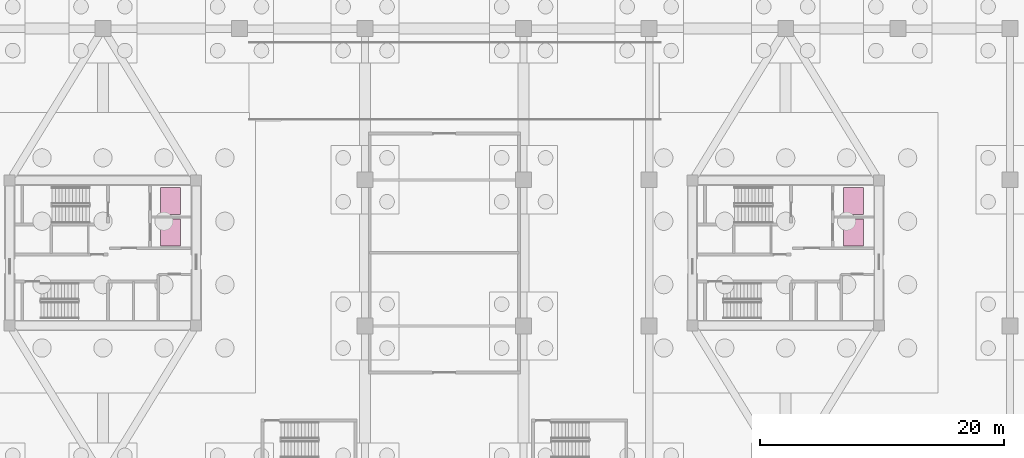
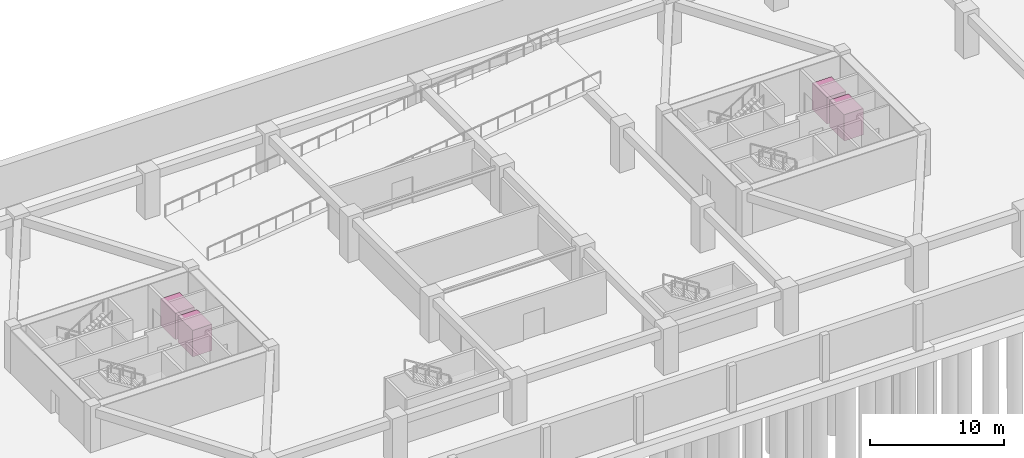
# One storey, part 14 of 14: 4 transport elements.
"""IFC4 building model written with IfcOpenShell, lengths in metres."""

import ifcopenshell
import ifcopenshell.guid

model = None  # the IFC model being written
_history = None  # IfcOwnerHistory: only IFC2X3 demands one
_inside = {}  # id of a spatial element -> (the spatial element, [elements in it])
_under = {}  # id of a project, library or spatial element -> (it, [spatial elements below it])
_declared = {}  # id of a project -> (the project, [libraries it declares])
_typed = {}  # id of a type object -> (the type object, [elements of that type])
_made_of = {}  # id of a material, layer set ... -> (it, [elements and type objects made of it])


def new_model(schema):
    """Start an empty IFC model of exactly this schema.

    Asked for "IFC4X3", IfcOpenShell would pick the latest addendum, in which some entities
    have other attributes; the version numbers below select the first issue.
    IFC2X3 requires an IfcOwnerHistory on every rooted entity: one is made here for all.
    """
    global model, _history
    if schema == "IFC4X3":
        model = ifcopenshell.file(schema_version=(4, 3, 0, 0))
    else:
        model = ifcopenshell.file(schema=schema)
    _inside.clear()
    _under.clear()
    _declared.clear()
    _typed.clear()
    _made_of.clear()
    _history = None
    if model.schema == "IFC2X3":
        org = make("IfcOrganization", Name="unknown")
        user = make(
            "IfcPersonAndOrganization",
            ThePerson=make("IfcPerson", FamilyName="unknown"),
            TheOrganization=org,
        )
        app = make(
            "IfcApplication",
            ApplicationDeveloper=org,
            Version="unknown",
            ApplicationFullName="unknown",
            ApplicationIdentifier="unknown",
        )
        _history = make(
            "IfcOwnerHistory",
            OwningUser=user,
            OwningApplication=app,
            ChangeAction="ADDED",
            CreationDate=0,
        )
    return model


def make(cls, **values):
    """One entity of the class cls with the attributes given. An attribute that is None is left unset."""
    return model.create_entity(
        cls, **{name: value for name, value in values.items() if value is not None}
    )


def rooted(cls, **values):
    """An entity with a GlobalId (a new one), such as an element, a storey or a relation."""
    return make(cls, GlobalId=ifcopenshell.guid.new(), OwnerHistory=_history, **values)


def si_unit(unit_type, name, prefix=None):
    """IfcSIUnit, for example si_unit("LENGTHUNIT", "METRE", prefix="MILLI")."""
    return make("IfcSIUnit", UnitType=unit_type, Prefix=prefix, Name=name)


def assignment(units):
    """IfcUnitAssignment: the units of a project."""
    return None if units is None else make("IfcUnitAssignment", Units=units)


def point(xyz):
    """IfcCartesianPoint."""
    return None if xyz is None else make("IfcCartesianPoint", Coordinates=xyz)


def direction(xyz):
    """IfcDirection."""
    return None if xyz is None else make("IfcDirection", DirectionRatios=xyz)


def frame(location, z_axis=None, x_axis=None):
    """IfcAxis2Placement3D, a coordinate frame: its origin and axes. An axis left out is left unset."""
    return make(
        "IfcAxis2Placement3D",
        Location=point(location),
        Axis=direction(z_axis),
        RefDirection=direction(x_axis),
    )


def frame_2d(location, x_axis=None):
    """IfcAxis2Placement2D, a coordinate frame in the plane: its origin and x axis."""
    return make(
        "IfcAxis2Placement2D", Location=point(location), RefDirection=direction(x_axis)
    )


def origin():
    """The frame at (0, 0, 0) with its axes left unset."""
    return frame((0.0, 0.0, 0.0))


def origin_2d():
    """The frame at (0, 0) in the plane with its x axis left unset."""
    return frame_2d((0.0, 0.0))


def place(relative_to, where):
    """IfcLocalPlacement: puts the frame where relative to a parent placement (None: the world)."""
    return make(
        "IfcLocalPlacement", PlacementRelTo=relative_to, RelativePlacement=where
    )


def context(
    kind, dimensions, precision=None, world=None, true_north=None, identifier=None
):
    """IfcGeometricRepresentationContext, for example the 3D "Model" context."""
    return make(
        "IfcGeometricRepresentationContext",
        ContextIdentifier=identifier,
        ContextType=kind,
        CoordinateSpaceDimension=dimensions,
        Precision=precision,
        WorldCoordinateSystem=world,
        TrueNorth=true_north,
    )


def subcontext(parent, identifier, kind, view, scale=None):
    """IfcGeometricRepresentationSubContext, for example "Body" below "Model"."""
    return make(
        "IfcGeometricRepresentationSubContext",
        ContextIdentifier=identifier,
        ContextType=kind,
        ParentContext=parent,
        TargetScale=scale,
        TargetView=view,
    )


def project(units=None, contexts=None):
    """IfcProject with its units and contexts."""
    return rooted(
        "IfcProject",
        Name="project",
        RepresentationContexts=contexts,
        UnitsInContext=assignment(units),
    )


def spatial(cls, under=None, at=None, **own):
    """A site, building, storey or space (cls), placed at a placement, below another one or the project."""
    s = rooted(cls, ObjectPlacement=at, **own)
    if under is not None:
        _under.setdefault(under.id(), (under, []))[1].append(s)
    return s


def profile(cls, at=None, kind="AREA", **sizes):
    """A parametric profile (cls). Its sizes go by their IFC names, for example OverallWidth=200.0."""
    return make(cls, ProfileType=kind, Position=at, **sizes)


def rectangle(**sizes):
    """IfcRectangleProfileDef."""
    return profile("IfcRectangleProfileDef", **sizes)


def extrude(swept, where, along, depth):
    """IfcExtrudedAreaSolid: the profile swept, set in the frame where, extruded along a direction by depth."""
    return make(
        "IfcExtrudedAreaSolid",
        SweptArea=swept,
        Position=where,
        ExtrudedDirection=direction(along),
        Depth=depth,
    )


def shape(context_of_items, identifier, shape_type, items):
    """IfcShapeRepresentation: the items that make up one representation, for example the "Body"."""
    return make(
        "IfcShapeRepresentation",
        ContextOfItems=context_of_items,
        RepresentationIdentifier=identifier,
        RepresentationType=shape_type,
        Items=items,
    )


def source(mapping_origin, context_of_items, identifier, shape_type, items):
    """IfcRepresentationMap: a shape defined once, which mapped items show again and again."""
    return make(
        "IfcRepresentationMap",
        MappingOrigin=mapping_origin,
        MappedRepresentation=shape(context_of_items, identifier, shape_type, items),
    )


def transform(
    local_origin,
    x_axis=None,
    y_axis=None,
    z_axis=None,
    scale=None,
    scale2=None,
    scale3=None,
    uniform=True,
):
    """IfcCartesianTransformationOperator3D, or its non-uniform kind. x_axis, y_axis, z_axis: its Axis1, 2, 3."""
    if uniform:
        return make(
            "IfcCartesianTransformationOperator3D",
            Axis1=direction(x_axis),
            Axis2=direction(y_axis),
            LocalOrigin=point(local_origin),
            Scale=scale,
            Axis3=direction(z_axis),
        )
    return make(
        "IfcCartesianTransformationOperator3DnonUniform",
        Axis1=direction(x_axis),
        Axis2=direction(y_axis),
        LocalOrigin=point(local_origin),
        Scale=scale,
        Axis3=direction(z_axis),
        Scale2=scale2,
        Scale3=scale3,
    )


def mapped(mapping_source, mapping_target):
    """IfcMappedItem: shows the shape of a source again, moved by a transform."""
    return make(
        "IfcMappedItem", MappingSource=mapping_source, MappingTarget=mapping_target
    )


def material(Name=None, Category=None):
    """IfcMaterial."""
    return make("IfcMaterial", Name=Name, Category=Category)


def made_of(thing, what):
    """Note that an element or type object is made of a material, layer set ...; save() writes the relation."""
    if what is not None:
        _made_of.setdefault(what.id(), (what, []))[1].append(thing)
    return thing


def type_object(cls, material=None, **own):
    """A type object (cls), such as IfcWallType, which elements share."""
    return made_of(rooted(cls, **own), material)


def type_shapes(of_type, sources):
    """Give a type object the sources (RepresentationMaps) that its elements show as mapped items."""
    of_type.RepresentationMaps = sources


def element(
    cls,
    number,
    at=None,
    inside=None,
    cuts=None,
    type_object=None,
    material=None,
    context=None,
    identifier="Body",
    shape_type=None,
    held_by="IfcProductDefinitionShape",
    body=None,
    shapes=None,
    **own,
):
    """One element of the class cls, such as IfcWall. Its Tag is "e" and its number.

    at: its placement. inside: the storey or other place that contains it. cuts: it is an
    opening in that element (IfcRelVoidsElement). A single representation is given by context,
    identifier, shape_type and body (its items); several are given by shapes. held_by: the class
    of the entity that holds the representations. save() writes the other relations.
    """
    e = rooted(cls, Tag="e%d" % number, ObjectPlacement=at, **own)
    if body is not None:
        shapes = [shape(context, identifier, shape_type, body)]
    if shapes is not None:
        e.Representation = make(held_by, Representations=shapes)
    if inside is not None:
        _inside.setdefault(inside.id(), (inside, []))[1].append(e)
    if cuts is not None:
        rooted(
            "IfcRelVoidsElement", RelatingBuildingElement=cuts, RelatedOpeningElement=e
        )
    if type_object is not None:
        _typed.setdefault(type_object.id(), (type_object, []))[1].append(e)
    return made_of(e, material)


def aggregate(whole, parts):
    """IfcRelAggregates: a whole, such as a stair, and the parts it consists of."""
    return rooted("IfcRelAggregates", RelatingObject=whole, RelatedObjects=parts)


def save(model, path):
    """Write the relations noted so far, then the file.

    IfcRelAggregates (storeys below a building ...), IfcRelContainedInSpatialStructure (elements
    in a storey), IfcRelDefinesByType, IfcRelAssociatesMaterial and IfcRelDeclares: one each for
    every whole, place, type object, material and project.
    """
    for whole, parts in _under.values():
        aggregate(whole, parts)
    for where, things in _inside.values():
        rooted(
            "IfcRelContainedInSpatialStructure",
            RelatedElements=things,
            RelatingStructure=where,
        )
    for kind, things in _typed.values():
        rooted("IfcRelDefinesByType", RelatedObjects=things, RelatingType=kind)
    for what, things in _made_of.values():
        rooted("IfcRelAssociatesMaterial", RelatedObjects=things, RelatingMaterial=what)
    for by, libraries in _declared.values():
        rooted("IfcRelDeclares", RelatingContext=by, RelatedDefinitions=libraries)
    model.write(path)


model = new_model("IFC4")

# Units and contexts
model_context = context("Model", 3, precision=1e-05, world=origin(), true_north=direction((0.0, 1.0)))
body_context = subcontext(model_context, "Body", "Model", "MODEL_VIEW")
ifc_project = project(units=[si_unit("LENGTHUNIT", "METRE"), si_unit("AREAUNIT", "SQUARE_METRE"), si_unit("VOLUMEUNIT", "CUBIC_METRE"), si_unit("PLANEANGLEUNIT", "RADIAN"), si_unit("MASSUNIT", "GRAM", prefix="KILO")], contexts=[model_context])

# Site, building, storey
site_placement = place(None, origin())
site = spatial("IfcSite", under=ifc_project, at=site_placement, CompositionType="ELEMENT")
building_placement = place(site_placement, origin())
building = spatial("IfcBuilding", under=site, at=building_placement, Name="Norrkilde Senior Care Towers", CompositionType="ELEMENT")
storey_placement = place(building_placement, frame((0.0, 0.0, -8.39990234375)))
storey = spatial("IfcBuildingStorey", under=building, at=storey_placement, Name="B2", CompositionType="ELEMENT", Elevation=-8.39990234375)

# Transport elements
ifc_material = material(Name="Stainless Steel", Category="steel")
transport_element_type_1 = type_object("IfcTransportElementType", Name="Firefighting and Bed Lift Car 1650x2200", PredefinedType="ELEVATOR", material=ifc_material)
shared_shape_1 = source(origin(), body_context, "Body", "SweptSolid", [
    extrude(rectangle(XDim=1.64990234375, YDim=2.199951171875, at=origin_2d()), origin(), (0.0, 0.0, 1.0), 2.39990234375),
])
type_shapes(transport_element_type_1, [shared_shape_1])
for number, where, z_axis, x_axis, name in (
    (1, (-22.449951171875, 4.25, 0.0), (0.0, 0.0, 1.0), (1.0, 0.0, 0.0), "Lift FFL-W1"),
    (2, (33.550048828125, 4.25, 0.0), (0.0, 0.0, 1.0), (1.0, 0.0, 0.0), "Lift FFL-E1"),
):
    element("IfcTransportElement", number, at=place(storey_placement, frame(where, z_axis=z_axis, x_axis=x_axis)), inside=storey, type_object=transport_element_type_1, Name=name, PredefinedType="ELEVATOR", context=body_context, shape_type="MappedRepresentation", body=[
        mapped(shared_shape_1, transform((0.0, 0.0, 0.0), x_axis=(1.0, 0.0, 0.0), y_axis=(0.0, 1.0, 0.0), z_axis=(0.0, 0.0, 1.0), scale=1.0)),
    ])
transport_element_type_2 = type_object("IfcTransportElementType", Name="Medical Stretcher and Bed Lift Car 1650x2200", PredefinedType="ELEVATOR", material=ifc_material)
shared_shape_2 = source(origin(), body_context, "Body", "SweptSolid", [
    extrude(rectangle(XDim=1.64990234375, YDim=2.199951171875, at=origin_2d()), origin(), (0.0, 0.0, 1.0), 2.39990234375),
])
type_shapes(transport_element_type_2, [shared_shape_2])
for number, where, z_axis, x_axis, name in (
    (3, (-22.449951171875, 1.679931640625, 0.0), (0.0, 0.0, 1.0), (1.0, 0.0, 0.0), "Lift SVL-W1"),
    (4, (33.550048828125, 1.679931640625, 0.0), (0.0, 0.0, 1.0), (1.0, 0.0, 0.0), "Lift SVL-E1"),
):
    element("IfcTransportElement", number, at=place(storey_placement, frame(where, z_axis=z_axis, x_axis=x_axis)), inside=storey, type_object=transport_element_type_2, Name=name, PredefinedType="ELEVATOR", context=body_context, shape_type="MappedRepresentation", body=[
        mapped(shared_shape_2, transform((0.0, 0.0, 0.0), x_axis=(1.0, 0.0, 0.0), y_axis=(0.0, 1.0, 0.0), z_axis=(0.0, 0.0, 1.0), scale=1.0)),
    ])

save(model, "model.ifc")
